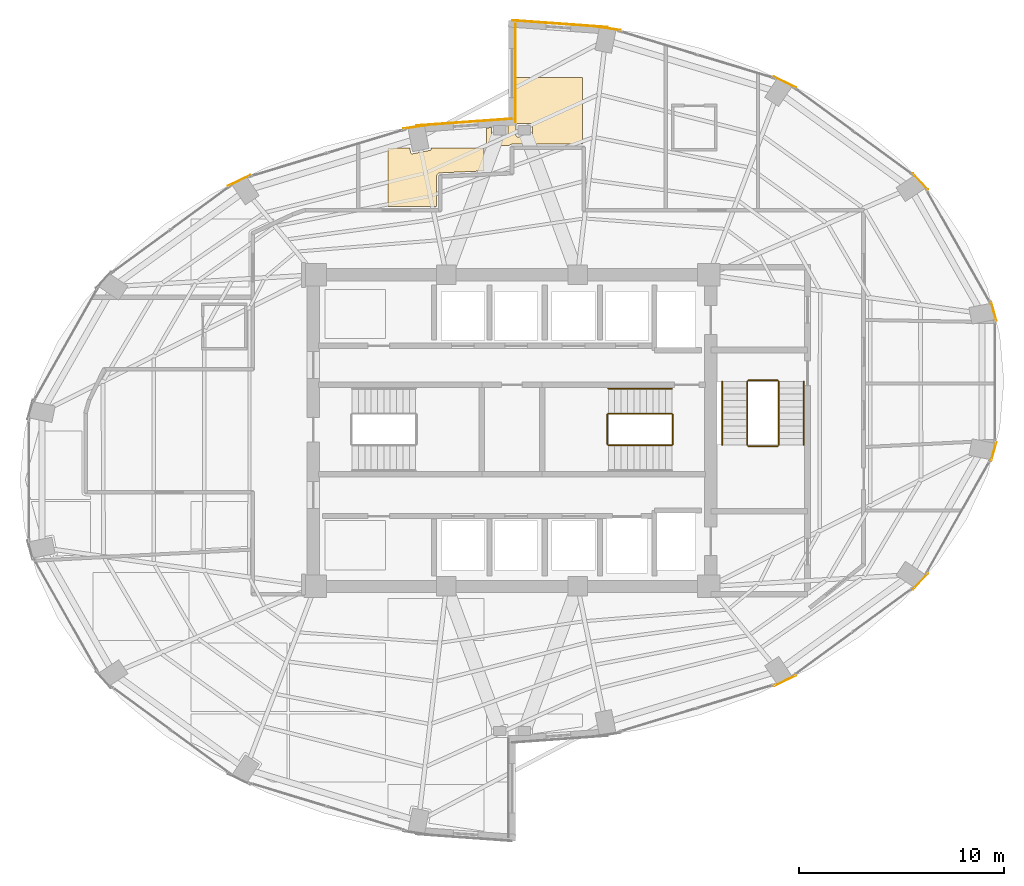
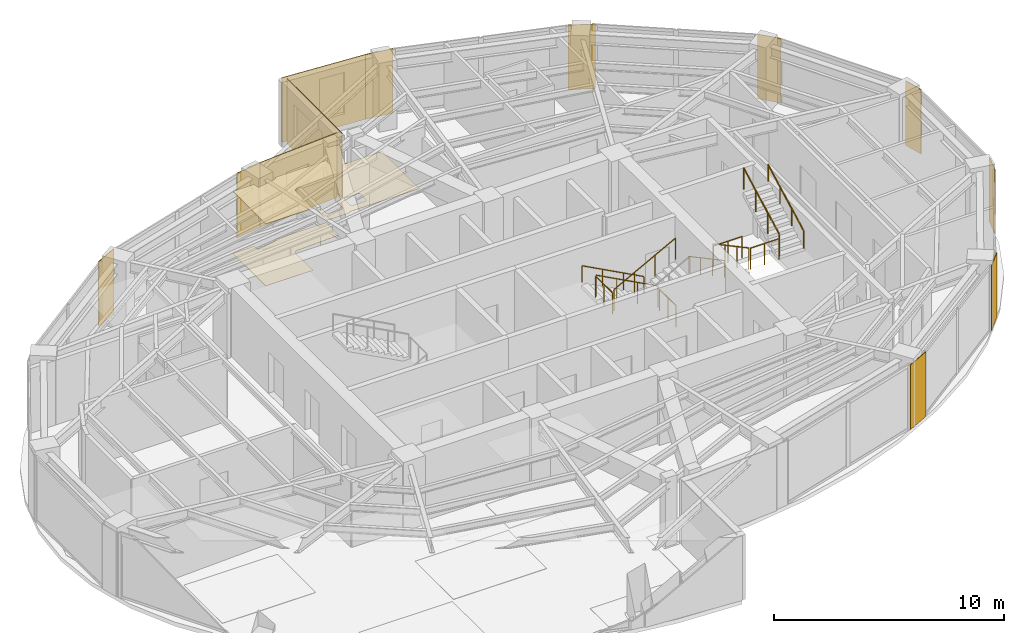
# One storey, part 20 of 20: 15 coverings, 11 railings.
"""IFC4 building model written with IfcOpenShell, lengths in metres."""

from ifc_helpers import new_model, si_unit, direction, frame, origin, origin_2d, place, context, subcontext, project, spatial, polyline, rectangle, circle, outline, extrude, material, layer, layer_set, type_object, element, save


model = new_model("IFC4")

# Units and contexts
model_context = context("Model", 3, precision=1e-05, world=origin(), true_north=direction((0.0, 1.0)))
body_context = subcontext(model_context, "Body", "Model", "MODEL_VIEW")
ifc_project = project(units=[si_unit("LENGTHUNIT", "METRE"), si_unit("AREAUNIT", "SQUARE_METRE"), si_unit("VOLUMEUNIT", "CUBIC_METRE"), si_unit("PLANEANGLEUNIT", "RADIAN"), si_unit("MASSUNIT", "GRAM", prefix="KILO")], contexts=[model_context])

# Site, building, storey
site_placement = place(None, origin())
site = spatial("IfcSite", under=ifc_project, at=site_placement, CompositionType="ELEMENT")
building_placement = place(site_placement, origin())
building = spatial("IfcBuilding", under=site, at=building_placement, Name="Lazwardi Medical Tower", CompositionType="ELEMENT")
storey_placement = place(building_placement, frame((0.0, 0.0, 145.583984375)))
storey = spatial("IfcBuildingStorey", under=building, at=storey_placement, Name="L37", CompositionType="ELEMENT", Elevation=145.583984375)

# Coverings
ifc_material_1 = material(Name="Anodised bronze aluminium cassette cladding", Category="aluminium")
ifc_layer_1 = layer(ifc_material_1, 0.030029296875)
ifc_layer_set_1 = layer_set([ifc_layer_1], Name="Anodised bronze aluminium cassette cladding")
covering_type_1 = type_object("IfcCoveringType", Name="COV-CLD-BRZ", PredefinedType="CLADDING", material=ifc_layer_set_1)
covering_1_placement = place(storey_placement, frame((49.31103515625, 15.798095703125, 0.0), z_axis=(0.0, 0.0, 1.0), x_axis=(0.898079014814, 0.439834154144, 0.0)))
element("IfcCovering", 1, at=covering_1_placement, inside=storey, type_object=covering_type_1, Name="L37 Mega-column bronze cassette cover M02", PredefinedType="CLADDING", context=body_context, shape_type="SweptSolid", body=[
    extrude(rectangle(XDim=1.200439453125, YDim=0.030029296875, at=origin_2d()), origin(), (0.0, 0.0, 1.0), 3.427978515625),
])
covering_2_placement = place(storey_placement, frame((55.92138671875, 20.643310546875, 0.0), z_axis=(0.0, 0.0, 1.0), x_axis=(0.673714459537, 0.738991763832, 0.0)))
element("IfcCovering", 2, at=covering_2_placement, inside=storey, type_object=covering_type_1, Name="L37 Mega-column bronze cassette cover M03", PredefinedType="CLADDING", context=body_context, shape_type="SweptSolid", body=[
    extrude(rectangle(XDim=1.0693359375, YDim=0.030029296875, at=origin_2d()), origin(), (0.0, 0.0, 1.0), 3.427978515625),
])
for number, where, z_axis, x_axis, name in (
    (3, (59.498779296875, 26.973876953125, 0.0), (0.0, 0.0, 1.0), (0.261828726257, 0.965114354938, 0.0), "L37 Mega-column bronze cassette cover M04"),
    (4, (59.498779296875, 33.826171875, 0.0), (0.0, 0.0, 1.0), (-0.261828726257, 0.965114354938, 0.0), "L37 Mega-column bronze cassette cover M05"),
):
    element("IfcCovering", number, at=place(storey_placement, frame(where, z_axis=z_axis, x_axis=x_axis)), inside=storey, type_object=covering_type_1, Name=name, PredefinedType="CLADDING", context=body_context, shape_type="SweptSolid", body=[
        extrude(rectangle(XDim=0.9658203125, YDim=0.030029296875, at=origin_2d()), origin(), (0.0, 0.0, 1.0), 3.427978515625),
    ])
covering_3_placement = place(storey_placement, frame((55.92138671875, 40.15673828125, 0.0), z_axis=(0.0, 0.0, 1.0), x_axis=(-0.673714459537, 0.738991763832, 0.0)))
element("IfcCovering", 5, at=covering_3_placement, inside=storey, type_object=covering_type_1, Name="L37 Mega-column bronze cassette cover M06", PredefinedType="CLADDING", context=body_context, shape_type="SweptSolid", body=[
    extrude(rectangle(XDim=1.0693359375, YDim=0.030029296875, at=origin_2d()), origin(), (0.0, 0.0, 1.0), 3.427978515625),
])
covering_4_placement = place(storey_placement, frame((49.31103515625, 45.001953125, 0.0), z_axis=(0.0, 0.0, 1.0), x_axis=(-0.898079014814, 0.439834154144, 0.0)))
element("IfcCovering", 6, at=covering_4_placement, inside=storey, type_object=covering_type_1, Name="L37 Mega-column bronze cassette cover M07", PredefinedType="CLADDING", context=body_context, shape_type="SweptSolid", body=[
    extrude(rectangle(XDim=1.200439453125, YDim=0.030029296875, at=origin_2d()), origin(), (0.0, 0.0, 1.0), 3.427978515625),
])
for number, where, z_axis, x_axis, name in (
    (7, (40.67431640625, 47.6240234375, 0.0), (0.0, 0.0, 1.0), (-0.989539138138, 0.144264666823, 0.0), "L37 Mega-column bronze cassette cover M08"),
    (8, (31.32568359375, 42.82421875, 0.0), (0.0, 0.0, 1.0), (-0.989539138138, -0.144264666823, 0.0), "L37 Mega-column bronze cassette cover M09"),
):
    element("IfcCovering", number, at=place(storey_placement, frame(where, z_axis=z_axis, x_axis=x_axis)), inside=storey, type_object=covering_type_1, Name=name, PredefinedType="CLADDING", context=body_context, shape_type="SweptSolid", body=[
        extrude(rectangle(XDim=1.28515625, YDim=0.030029296875, at=origin_2d()), origin(), (0.0, 0.0, 1.0), 3.427978515625),
    ])
covering_5_placement = place(storey_placement, frame((22.68896484375, 40.201904296875, 0.0), z_axis=(0.0, 0.0, 1.0), x_axis=(-0.898079014814, -0.439834154144, 0.0)))
element("IfcCovering", 9, at=covering_5_placement, inside=storey, type_object=covering_type_1, Name="L37 Mega-column bronze cassette cover M10", PredefinedType="CLADDING", context=body_context, shape_type="SweptSolid", body=[
    extrude(rectangle(XDim=1.200439453125, YDim=0.030029296875, at=origin_2d()), origin(), (0.0, 0.0, 1.0), 3.427978515625),
])
ifc_material_2 = material(Name="Turquoise glazed ceramic tilework cladding", Category="masonry")
ifc_layer_2 = layer(ifc_material_2, 0.034912109375)
ifc_layer_set_2 = layer_set([ifc_layer_2], Name="Turquoise glazed ceramic tilework cladding")
covering_type_2 = type_object("IfcCoveringType", Name="COV-CLD-TRQ", PredefinedType="CLADDING", material=ifc_layer_set_2)
covering_6_placement = place(storey_placement, frame((38.338134765625, 47.847412109375, 0.0), z_axis=(0.0, 0.0, 1.0), x_axis=(-0.997414510753, 0.071863020663, 0.0)))
element("IfcCovering", 10, at=covering_6_placement, inside=storey, type_object=covering_type_2, Name="L37 Turquoise glazed ceramic tilework cladding", PredefinedType="CLADDING", context=body_context, shape_type="SweptSolid", body=[
    extrude(rectangle(XDim=4.6630859375, YDim=0.034912109375, at=origin_2d()), origin(), (0.0, 0.0, 1.0), 3.427978515625),
])
covering_7_placement = place(storey_placement, frame((33.66162109375, 43.047607421875, 0.0), z_axis=(0.0, 0.0, 1.0), x_axis=(-0.997414134466, -0.071868243112, 0.0)))
element("IfcCovering", 11, at=covering_7_placement, inside=storey, type_object=covering_type_2, Name="L37 Turquoise glazed ceramic tilework cladding", PredefinedType="CLADDING", context=body_context, shape_type="SweptSolid", body=[
    extrude(rectangle(XDim=4.66259765625, YDim=0.034912109375, at=origin_2d()), origin(), (0.0, 0.0, 1.0), 3.427978515625),
])
covering_8_placement = place(storey_placement, frame((36.175537109375, 45.43994140625, 0.0), z_axis=(0.0, 0.0, 1.0), x_axis=(0.0, -1.0, 0.0)))
element("IfcCovering", 12, at=covering_8_placement, inside=storey, type_object=covering_type_2, Name="L37 Turquoise glazed ceramic tilework iwan panel", PredefinedType="CLADDING", context=body_context, shape_type="SweptSolid", body=[
    extrude(rectangle(XDim=4.800048828125, YDim=0.034912109375, at=origin_2d()), origin(), (0.0, 0.0, 1.0), 3.427978515625),
])
ifc_material_3 = material(Name="Acoustic mineral fibre tile")
ifc_layer_3 = layer(ifc_material_3, 0.02490234375)
ifc_layer_set_3 = layer_set([ifc_layer_3], Name="Acoustic mineral fibre tile")
covering_type_3 = type_object("IfcCoveringType", Name="COV-CLG-01", PredefinedType="CEILING", material=ifc_layer_set_3)
covering_9_placement = place(storey_placement, frame((0.0, 0.0, 3.282958984375)))
element("IfcCovering", 13, at=covering_9_placement, inside=storey, type_object=covering_type_3, Name="L37 Clinical Acoustic Ceiling 10", PredefinedType="CEILING", context=body_context, shape_type="SweptSolid", body=[
    extrude(outline(polyline([(32.052490234375, 41.782470703125), (32.05615234375, 41.7646484375), (32.05712890625, 41.7568359375), (32.0576171875, 41.7490234375), (32.05712890625, 41.7412109375), (32.05615234375, 41.7333984375), (32.05419921875, 41.725830078125), (32.051513671875, 41.718505859375), (32.048095703125, 41.71142578125), (32.044189453125, 41.70458984375), (32.039306640625, 41.698486328125), (32.0341796875, 41.6923828125), (32.0283203125, 41.687255859375), (32.02197265625, 41.6826171875), (32.015380859375, 41.678466796875), (32.00830078125, 41.67529296875), (32.000732421875, 41.672607421875), (31.9931640625, 41.670654296875), (31.149658203125, 41.502685546875), (31.141845703125, 41.501708984375), (31.134033203125, 41.501220703125), (31.126220703125, 41.501708984375), (31.118408203125, 41.502685546875), (31.11083984375, 41.504638671875), (31.103515625, 41.50732421875), (31.096435546875, 41.5107421875), (31.089599609375, 41.514892578125), (31.083251953125, 41.51953125), (31.077392578125, 41.524658203125), (31.072265625, 41.530517578125), (31.067626953125, 41.536865234375), (31.0634765625, 41.543701171875), (31.060302734375, 41.55078125), (31.0576171875, 41.55810546875), (31.0556640625, 41.565673828125), (31.012451171875, 41.782470703125), (29.952880859375, 41.782470703125), (29.952880859375, 38.925048828125), (32.324951171875, 38.925048828125), (32.324951171875, 40.3994140625), (32.3251953125, 40.40283203125), (32.325439453125, 40.411865234375), (32.326171875, 40.419921875), (32.327392578125, 40.428955078125), (32.3291015625, 40.436767578125), (32.331298828125, 40.445556640625), (32.3330078125, 40.45166015625), (32.3359375, 40.460205078125), (32.339111328125, 40.46826171875), (32.343017578125, 40.4765625), (32.34619140625, 40.48291015625), (32.350830078125, 40.49072265625), (32.35498046875, 40.497314453125), (32.3603515625, 40.504638671875), (32.364990234375, 40.510498046875), (32.370849609375, 40.517333984375), (32.376220703125, 40.522705078125), (32.3828125, 40.529052734375), (32.388427734375, 40.533935546875), (32.3955078125, 40.53955078125), (32.40234375, 40.54443359375), (32.409912109375, 40.54931640625), (32.415283203125, 40.552490234375), (32.42333984375, 40.556640625), (32.431640625, 40.560302734375), (32.440185546875, 40.563720703125), (32.44580078125, 40.565673828125), (32.45458984375, 40.568359375), (32.462646484375, 40.5703125), (32.4716796875, 40.572021484375), (32.4794921875, 40.572998046875), (32.488525390625, 40.573974609375), (32.491943359375, 40.57421875), (34.6328125, 40.67236328125), (34.6328125, 41.782470703125), (32.052490234375, 41.782470703125)])), origin(), (0.0, 0.0, 1.0), 0.025146484375),
])
ifc_material_4 = material(Name="Anti-static hospital vinyl sheet flooring")
ifc_layer_4 = layer(ifc_material_4, 0.014892578125)
ifc_layer_set_4 = layer_set([ifc_layer_4], Name="Anti-static hospital vinyl sheet flooring")
covering_type_4 = type_object("IfcCoveringType", Name="COV-FLR-01", PredefinedType="FLOORING", material=ifc_layer_set_4)
covering_10_placement = place(storey_placement, origin())
element("IfcCovering", 14, at=covering_10_placement, inside=storey, type_object=covering_type_4, Name="L37 Clinical Vinyl Flooring 8", PredefinedType="FLOORING", context=body_context, shape_type="SweptSolid", body=[
    extrude(outline(polyline([(32.052490234375, 41.782470703125), (32.05615234375, 41.7646484375), (32.05712890625, 41.7568359375), (32.0576171875, 41.7490234375), (32.05712890625, 41.7412109375), (32.05615234375, 41.7333984375), (32.05419921875, 41.725830078125), (32.051513671875, 41.718505859375), (32.048095703125, 41.71142578125), (32.044189453125, 41.70458984375), (32.039306640625, 41.698486328125), (32.0341796875, 41.6923828125), (32.0283203125, 41.687255859375), (32.02197265625, 41.6826171875), (32.015380859375, 41.678466796875), (32.00830078125, 41.67529296875), (32.000732421875, 41.672607421875), (31.9931640625, 41.670654296875), (31.149658203125, 41.502685546875), (31.141845703125, 41.501708984375), (31.134033203125, 41.501220703125), (31.126220703125, 41.501708984375), (31.118408203125, 41.502685546875), (31.11083984375, 41.504638671875), (31.103515625, 41.50732421875), (31.096435546875, 41.5107421875), (31.089599609375, 41.514892578125), (31.083251953125, 41.51953125), (31.077392578125, 41.524658203125), (31.072265625, 41.530517578125), (31.067626953125, 41.536865234375), (31.0634765625, 41.543701171875), (31.060302734375, 41.55078125), (31.0576171875, 41.55810546875), (31.0556640625, 41.565673828125), (31.012451171875, 41.782470703125), (29.952880859375, 41.782470703125), (29.952880859375, 38.925048828125), (32.324951171875, 38.925048828125), (32.324951171875, 40.3994140625), (32.3251953125, 40.40283203125), (32.325439453125, 40.411865234375), (32.326171875, 40.419921875), (32.327392578125, 40.428955078125), (32.3291015625, 40.436767578125), (32.331298828125, 40.445556640625), (32.3330078125, 40.45166015625), (32.3359375, 40.460205078125), (32.339111328125, 40.46826171875), (32.343017578125, 40.4765625), (32.34619140625, 40.48291015625), (32.350830078125, 40.49072265625), (32.35498046875, 40.497314453125), (32.3603515625, 40.504638671875), (32.364990234375, 40.510498046875), (32.370849609375, 40.517333984375), (32.376220703125, 40.522705078125), (32.3828125, 40.529052734375), (32.388427734375, 40.533935546875), (32.3955078125, 40.53955078125), (32.40234375, 40.54443359375), (32.409912109375, 40.54931640625), (32.415283203125, 40.552490234375), (32.42333984375, 40.556640625), (32.431640625, 40.560302734375), (32.440185546875, 40.563720703125), (32.44580078125, 40.565673828125), (32.45458984375, 40.568359375), (32.462646484375, 40.5703125), (32.4716796875, 40.572021484375), (32.4794921875, 40.572998046875), (32.488525390625, 40.573974609375), (32.491943359375, 40.57421875), (34.6328125, 40.67236328125), (34.6328125, 41.782470703125), (32.052490234375, 41.782470703125)])), origin(), (0.0, 0.0, 1.0), 0.01513671875),
])
covering_11_placement = place(storey_placement, origin())
element("IfcCovering", 15, at=covering_11_placement, inside=storey, type_object=covering_type_4, Name="L37 Clinical Vinyl Flooring 10", PredefinedType="FLOORING", context=body_context, shape_type="SweptSolid", body=[
    extrude(outline(polyline([(36.080078125, 45.232421875), (36.080078125, 43.02001953125), (36.07958984375, 43.012451171875), (36.07861328125, 43.0048828125), (36.076904296875, 42.99755859375), (36.07421875, 42.990234375), (36.071044921875, 42.9833984375), (36.0673828125, 42.976806640625), (36.06298828125, 42.970703125), (36.057861328125, 42.96484375), (36.052490234375, 42.959716796875), (36.04638671875, 42.954833984375), (36.0400390625, 42.95068359375), (36.033203125, 42.947265625), (36.0263671875, 42.9443359375), (36.01904296875, 42.9423828125), (36.011474609375, 42.94091796875), (35.798583984375, 42.909912109375), (35.799560546875, 42.90283203125), (35.800048828125, 42.89501953125), (35.800048828125, 42.405029296875), (35.799560546875, 42.397216796875), (35.798583984375, 42.389404296875), (35.796630859375, 42.3818359375), (35.7939453125, 42.37451171875), (35.79052734375, 42.3671875), (35.78662109375, 42.360595703125), (35.78173828125, 42.354248046875), (35.776611328125, 42.348388671875), (35.770751953125, 42.34326171875), (35.764404296875, 42.33837890625), (35.7578125, 42.33447265625), (35.75048828125, 42.3310546875), (35.7431640625, 42.328369140625), (35.735595703125, 42.326416015625), (35.727783203125, 42.325439453125), (35.719970703125, 42.324951171875), (35.080078125, 42.324951171875), (35.072265625, 42.325439453125), (35.064453125, 42.326416015625), (35.056884765625, 42.328369140625), (35.04931640625, 42.3310546875), (35.042236328125, 42.33447265625), (35.03564453125, 42.33837890625), (35.029296875, 42.34326171875), (35.0234375, 42.348388671875), (35.018310546875, 42.354248046875), (35.013427734375, 42.360595703125), (35.009521484375, 42.3671875), (35.006103515625, 42.37451171875), (35.00341796875, 42.3818359375), (35.00146484375, 42.389404296875), (35.00048828125, 42.397216796875), (35.0, 42.405029296875), (35.0, 42.793701171875), (34.7529296875, 42.7578125), (34.7529296875, 41.902587890625), (35.8583984375, 41.902587890625), (35.862548828125, 41.908203125), (35.8671875, 41.913818359375), (35.873291015625, 41.920654296875), (35.87939453125, 41.9267578125), (35.88623046875, 41.932861328125), (35.891845703125, 41.9375), (35.8994140625, 41.943115234375), (35.906005859375, 41.947509765625), (35.9140625, 41.952392578125), (35.9208984375, 41.9560546875), (35.92919921875, 41.9599609375), (35.93701171875, 41.96337890625), (35.94580078125, 41.96630859375), (35.952880859375, 41.968505859375), (35.9619140625, 41.970703125), (35.97021484375, 41.972412109375), (35.9794921875, 41.9736328125), (35.986328125, 41.974365234375), (35.99560546875, 41.974853515625), (36.0, 41.97509765625), (39.432861328125, 41.97509765625), (39.432861328125, 45.232421875), (36.080078125, 45.232421875)]), holes=[polyline([(36.943115234375, 42.328369140625), (36.935546875, 42.326416015625), (36.927734375, 42.325439453125), (36.919921875, 42.324951171875), (36.280029296875, 42.324951171875), (36.272216796875, 42.325439453125), (36.264404296875, 42.326416015625), (36.2568359375, 42.328369140625), (36.24951171875, 42.3310546875), (36.2421875, 42.33447265625), (36.235595703125, 42.33837890625), (36.229248046875, 42.34326171875), (36.223388671875, 42.348388671875), (36.21826171875, 42.354248046875), (36.21337890625, 42.360595703125), (36.20947265625, 42.3671875), (36.2060546875, 42.37451171875), (36.203369140625, 42.3818359375), (36.201416015625, 42.389404296875), (36.200439453125, 42.397216796875), (36.199951171875, 42.405029296875), (36.199951171875, 42.89501953125), (36.200439453125, 42.90283203125), (36.201416015625, 42.91064453125), (36.203369140625, 42.918212890625), (36.2060546875, 42.925537109375), (36.20947265625, 42.9326171875), (36.21337890625, 42.939453125), (36.21826171875, 42.94580078125), (36.223388671875, 42.95166015625), (36.229248046875, 42.956787109375), (36.235595703125, 42.96142578125), (36.2421875, 42.965576171875), (36.24951171875, 42.968994140625), (36.2568359375, 42.9716796875), (36.264404296875, 42.973388671875), (36.272216796875, 42.974609375), (36.280029296875, 42.97509765625), (36.919921875, 42.97509765625), (36.927734375, 42.974609375), (36.935546875, 42.973388671875), (36.943115234375, 42.9716796875), (36.95068359375, 42.968994140625), (36.957763671875, 42.965576171875), (36.96435546875, 42.96142578125), (36.970703125, 42.956787109375), (36.9765625, 42.95166015625), (36.981689453125, 42.94580078125), (36.986572265625, 42.939453125), (36.990478515625, 42.9326171875), (36.993896484375, 42.925537109375), (36.99658203125, 42.918212890625), (36.99853515625, 42.91064453125), (36.99951171875, 42.90283203125), (37.0, 42.89501953125), (37.0, 42.405029296875), (36.99951171875, 42.397216796875), (36.99853515625, 42.389404296875), (36.99658203125, 42.3818359375), (36.993896484375, 42.37451171875), (36.990478515625, 42.3671875), (36.986572265625, 42.360595703125), (36.981689453125, 42.354248046875), (36.9765625, 42.348388671875), (36.970703125, 42.34326171875), (36.96435546875, 42.33837890625), (36.957763671875, 42.33447265625), (36.95068359375, 42.3310546875), (36.943115234375, 42.328369140625)])]), origin(), (0.0, 0.0, 1.0), 0.01513671875),
])

# Railings
ifc_material_5 = material(Name="Stainless steel Grade 316", Category="steel")
railing_type_1 = type_object("IfcRailingType", Name="RLG-GRD-1150", PredefinedType="GUARDRAIL", material=ifc_material_5)
railing_1_placement = place(storey_placement, frame((43.800048828125, 28.830078125, 0.165771484375)))
element("IfcRailing", 16, at=railing_1_placement, inside=storey, type_object=railing_type_1, Name="L37 ST2 stair guard 1", PredefinedType="GUARDRAIL", context=body_context, shape_type="SweptSolid", body=[
    extrude(circle(Radius=0.02392578125, at=origin_2d()), frame((0.0, 0.0, 1.1259765625), z_axis=(-0.881783298633, 0.0, 0.471654761719), x_axis=(0.0, -1.0, 0.0)), (0.0, 0.0, 1.0), 3.515625),
    extrude(circle(Radius=0.02099609375, at=origin_2d()), origin(), (0.0, 0.0, 1.0), 1.099853515625),
    extrude(circle(Radius=0.02099609375, at=origin_2d()), frame((-1.033447265625, 0.0, 0.552734375)), (0.0, 0.0, 1.0), 1.099853515625),
    extrude(circle(Radius=0.02099609375, at=origin_2d()), frame((-2.066650390625, 0.0, 1.10546875)), (0.0, 0.0, 1.0), 1.099853515625),
    extrude(circle(Radius=0.02099609375, at=origin_2d()), frame((-3.10009765625, 0.0, 1.658203125)), (0.0, 0.0, 1.0), 1.099853515625),
])
railing_2_placement = place(storey_placement, frame((40.64990234375, 28.780029296875, 1.823974609375)))
element("IfcRailing", 17, at=railing_2_placement, inside=storey, type_object=railing_type_1, Name="L37 ST2 stair guard 2", PredefinedType="GUARDRAIL", context=body_context, shape_type="SweptSolid", body=[
    extrude(circle(Radius=0.02392578125, at=origin_2d()), frame((0.0, 0.0, 1.1259765625), z_axis=(0.0, -1.0, 0.0), x_axis=(1.0, 0.0, 0.0)), (0.0, 0.0, 1.0), 1.43994140625),
    extrude(circle(Radius=0.02099609375, at=origin_2d()), origin(), (0.0, 0.0, 1.0), 1.099853515625),
    extrude(circle(Radius=0.02099609375, at=origin_2d()), frame((0.0, -0.719970703125, 0.0)), (0.0, 0.0, 1.0), 1.099853515625),
    extrude(circle(Radius=0.02099609375, at=origin_2d()), frame((0.0, -1.43994140625, 0.0)), (0.0, 0.0, 1.0), 1.099853515625),
])
railing_3_placement = place(storey_placement, frame((40.699951171875, 27.2900390625, 1.98974609375)))
element("IfcRailing", 18, at=railing_3_placement, inside=storey, type_object=railing_type_1, Name="L37 ST2 stair guard 3", PredefinedType="GUARDRAIL", context=body_context, shape_type="SweptSolid", body=[
    extrude(circle(Radius=0.02392578125, at=origin_2d()), frame((0.0, 0.0, 1.1259765625), z_axis=(0.881783298633, 0.0, 0.471654761719), x_axis=(0.0, 1.0, 0.0)), (0.0, 0.0, 1.0), 3.515625),
    extrude(circle(Radius=0.02099609375, at=origin_2d()), origin(), (0.0, 0.0, 1.0), 1.099853515625),
    extrude(circle(Radius=0.02099609375, at=origin_2d()), frame((1.033447265625, 0.0, 0.552734375)), (0.0, 0.0, 1.0), 1.099853515625),
    extrude(circle(Radius=0.02099609375, at=origin_2d()), frame((2.066650390625, 0.0, 1.10546875)), (0.0, 0.0, 1.0), 1.099853515625),
    extrude(circle(Radius=0.02099609375, at=origin_2d()), frame((3.10009765625, 0.0, 1.658203125)), (0.0, 0.0, 1.0), 1.099853515625),
])
railing_4_placement = place(storey_placement, frame((43.85009765625, 28.780029296875, 0.0)))
element("IfcRailing", 19, at=railing_4_placement, inside=storey, type_object=railing_type_1, Name="L37 ST2 stair guard 4", PredefinedType="GUARDRAIL", context=body_context, shape_type="SweptSolid", body=[
    extrude(circle(Radius=0.02392578125, at=origin_2d()), frame((0.0, 0.0, 1.1259765625), z_axis=(0.0, -1.0, 0.0), x_axis=(1.0, 0.0, 0.0)), (0.0, 0.0, 1.0), 1.43994140625),
    extrude(circle(Radius=0.02099609375, at=origin_2d()), origin(), (0.0, 0.0, 1.0), 1.099853515625),
    extrude(circle(Radius=0.02099609375, at=origin_2d()), frame((0.0, -0.719970703125, 0.0)), (0.0, 0.0, 1.0), 1.099853515625),
    extrude(circle(Radius=0.02099609375, at=origin_2d()), frame((0.0, -1.43994140625, 0.0)), (0.0, 0.0, 1.0), 1.099853515625),
])
railing_5_placement = place(storey_placement, frame((47.469970703125, 30.39990234375, 0.165771484375)))
element("IfcRailing", 20, at=railing_5_placement, inside=storey, type_object=railing_type_1, Name="L37 ST3 stair guard 1", PredefinedType="GUARDRAIL", context=body_context, shape_type="SweptSolid", body=[
    extrude(circle(Radius=0.02392578125, at=origin_2d()), frame((0.0, 0.0, 1.1259765625), z_axis=(0.0, -0.881767849116, 0.471683644262), x_axis=(1.0, 0.0, 0.0)), (0.0, 0.0, 1.0), 3.515380859375),
    extrude(circle(Radius=0.02099609375, at=origin_2d()), origin(), (0.0, 0.0, 1.0), 1.099853515625),
    extrude(circle(Radius=0.02099609375, at=origin_2d()), frame((0.0, -1.033203125, 0.552734375)), (0.0, 0.0, 1.0), 1.099853515625),
    extrude(circle(Radius=0.02099609375, at=origin_2d()), frame((0.0, -2.066650390625, 1.10546875)), (0.0, 0.0, 1.0), 1.099853515625),
    extrude(circle(Radius=0.02099609375, at=origin_2d()), frame((0.0, -3.099853515625, 1.658203125)), (0.0, 0.0, 1.0), 1.099853515625),
])
railing_6_placement = place(storey_placement, frame((47.52001953125, 27.25, 1.823974609375)))
element("IfcRailing", 21, at=railing_6_placement, inside=storey, type_object=railing_type_1, Name="L37 ST3 stair guard 2", PredefinedType="GUARDRAIL", context=body_context, shape_type="SweptSolid", body=[
    extrude(circle(Radius=0.02392578125, at=origin_2d()), frame((0.0, 0.0, 1.1259765625), z_axis=(1.0, 0.0, 0.0), x_axis=(0.0, 1.0, 0.0)), (0.0, 0.0, 1.0), 1.43994140625),
    extrude(circle(Radius=0.02099609375, at=origin_2d()), origin(), (0.0, 0.0, 1.0), 1.099853515625),
    extrude(circle(Radius=0.02099609375, at=origin_2d()), frame((0.719970703125, 0.0, 0.0)), (0.0, 0.0, 1.0), 1.099853515625),
    extrude(circle(Radius=0.02099609375, at=origin_2d()), frame((1.43994140625, 0.0, 0.0)), (0.0, 0.0, 1.0), 1.099853515625),
])
railing_7_placement = place(storey_placement, frame((49.010009765625, 27.300048828125, 1.98974609375)))
element("IfcRailing", 22, at=railing_7_placement, inside=storey, type_object=railing_type_1, Name="L37 ST3 stair guard 3", PredefinedType="GUARDRAIL", context=body_context, shape_type="SweptSolid", body=[
    extrude(circle(Radius=0.02392578125, at=origin_2d()), frame((0.0, 0.0, 1.1259765625), z_axis=(0.0, 0.881767849116, 0.471683644262), x_axis=(-1.0, 0.0, 0.0)), (0.0, 0.0, 1.0), 3.515380859375),
    extrude(circle(Radius=0.02099609375, at=origin_2d()), origin(), (0.0, 0.0, 1.0), 1.099853515625),
    extrude(circle(Radius=0.02099609375, at=origin_2d()), frame((0.0, 1.033203125, 0.552734375)), (0.0, 0.0, 1.0), 1.099853515625),
    extrude(circle(Radius=0.02099609375, at=origin_2d()), frame((0.0, 2.066650390625, 1.10546875)), (0.0, 0.0, 1.0), 1.099853515625),
    extrude(circle(Radius=0.02099609375, at=origin_2d()), frame((0.0, 3.099853515625, 1.658203125)), (0.0, 0.0, 1.0), 1.099853515625),
])
railing_8_placement = place(storey_placement, frame((47.52001953125, 30.449951171875, 0.0)))
element("IfcRailing", 23, at=railing_8_placement, inside=storey, type_object=railing_type_1, Name="L37 ST3 stair guard 4", PredefinedType="GUARDRAIL", context=body_context, shape_type="SweptSolid", body=[
    extrude(circle(Radius=0.02392578125, at=origin_2d()), frame((0.0, 0.0, 1.1259765625), z_axis=(1.0, 0.0, 0.0), x_axis=(0.0, 1.0, 0.0)), (0.0, 0.0, 1.0), 1.43994140625),
    extrude(circle(Radius=0.02099609375, at=origin_2d()), origin(), (0.0, 0.0, 1.0), 1.099853515625),
    extrude(circle(Radius=0.02099609375, at=origin_2d()), frame((0.719970703125, 0.0, 0.0)), (0.0, 0.0, 1.0), 1.099853515625),
    extrude(circle(Radius=0.02099609375, at=origin_2d()), frame((1.43994140625, 0.0, 0.0)), (0.0, 0.0, 1.0), 1.099853515625),
])
railing_type_2 = type_object("IfcRailingType", Name="RLG-HND-920", PredefinedType="HANDRAIL", material=ifc_material_5)
railing_9_placement = place(storey_placement, frame((43.800048828125, 30.050048828125, 0.165771484375)))
element("IfcRailing", 24, at=railing_9_placement, inside=storey, type_object=railing_type_2, Name="L37 ST2 stair handrail 1", PredefinedType="HANDRAIL", context=body_context, shape_type="SweptSolid", body=[
    extrude(circle(Radius=0.02392578125, at=origin_2d()), frame((0.0, 0.0, 0.8857421875), z_axis=(-0.881783298633, 0.0, 0.471654761719), x_axis=(0.0, -1.0, 0.0)), (0.0, 0.0, 1.0), 3.515625),
    extrude(circle(Radius=0.02099609375, at=origin_2d()), origin(), (0.0, 0.0, 1.0), 0.85986328125),
    extrude(circle(Radius=0.02099609375, at=origin_2d()), frame((-1.033447265625, 0.0, 0.552734375)), (0.0, 0.0, 1.0), 0.85986328125),
    extrude(circle(Radius=0.02099609375, at=origin_2d()), frame((-2.066650390625, 0.0, 1.10546875)), (0.0, 0.0, 1.0), 0.85986328125),
    extrude(circle(Radius=0.02099609375, at=origin_2d()), frame((-3.10009765625, 0.0, 1.658203125)), (0.0, 0.0, 1.0), 0.85986328125),
])
railing_10_placement = place(storey_placement, frame((46.25, 30.39990234375, 0.165771484375)))
element("IfcRailing", 25, at=railing_10_placement, inside=storey, type_object=railing_type_2, Name="L37 ST3 stair handrail 1", PredefinedType="HANDRAIL", context=body_context, shape_type="SweptSolid", body=[
    extrude(circle(Radius=0.02392578125, at=origin_2d()), frame((0.0, 0.0, 0.8857421875), z_axis=(0.0, -0.881767849116, 0.471683644262), x_axis=(1.0, 0.0, 0.0)), (0.0, 0.0, 1.0), 3.515380859375),
    extrude(circle(Radius=0.02099609375, at=origin_2d()), origin(), (0.0, 0.0, 1.0), 0.85986328125),
    extrude(circle(Radius=0.02099609375, at=origin_2d()), frame((0.0, -1.033203125, 0.552734375)), (0.0, 0.0, 1.0), 0.85986328125),
    extrude(circle(Radius=0.02099609375, at=origin_2d()), frame((0.0, -2.066650390625, 1.10546875)), (0.0, 0.0, 1.0), 0.85986328125),
    extrude(circle(Radius=0.02099609375, at=origin_2d()), frame((0.0, -3.099853515625, 1.658203125)), (0.0, 0.0, 1.0), 0.85986328125),
])
railing_11_placement = place(storey_placement, frame((50.22998046875, 27.300048828125, 1.98974609375)))
element("IfcRailing", 26, at=railing_11_placement, inside=storey, type_object=railing_type_2, Name="L37 ST3 stair handrail 2", PredefinedType="HANDRAIL", context=body_context, shape_type="SweptSolid", body=[
    extrude(circle(Radius=0.02392578125, at=origin_2d()), frame((0.0, 0.0, 0.8857421875), z_axis=(0.0, 0.881767849116, 0.471683644262), x_axis=(-1.0, 0.0, 0.0)), (0.0, 0.0, 1.0), 3.515380859375),
    extrude(circle(Radius=0.02099609375, at=origin_2d()), origin(), (0.0, 0.0, 1.0), 0.85986328125),
    extrude(circle(Radius=0.02099609375, at=origin_2d()), frame((0.0, 1.033203125, 0.552734375)), (0.0, 0.0, 1.0), 0.85986328125),
    extrude(circle(Radius=0.02099609375, at=origin_2d()), frame((0.0, 2.066650390625, 1.10546875)), (0.0, 0.0, 1.0), 0.85986328125),
    extrude(circle(Radius=0.02099609375, at=origin_2d()), frame((0.0, 3.099853515625, 1.658203125)), (0.0, 0.0, 1.0), 0.85986328125),
])

save(model, "model.ifc")
